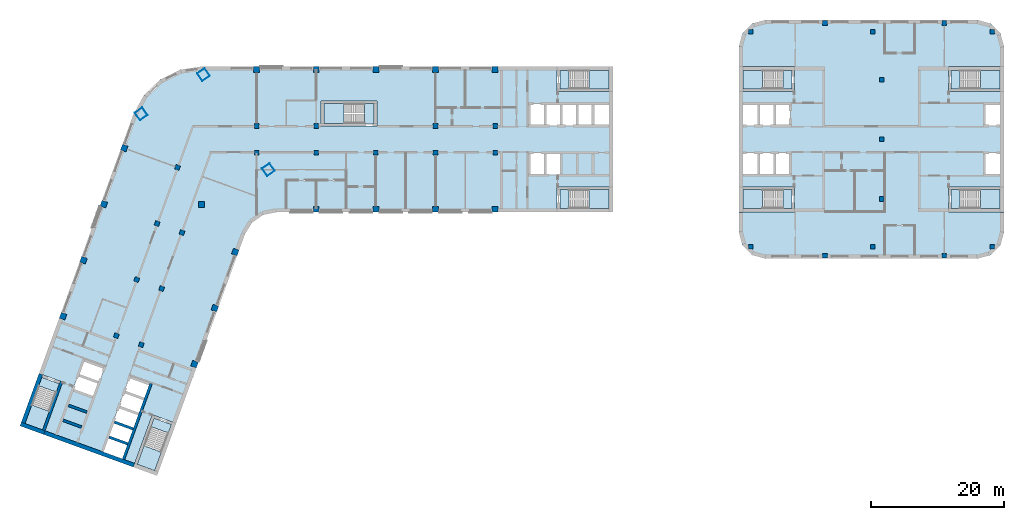
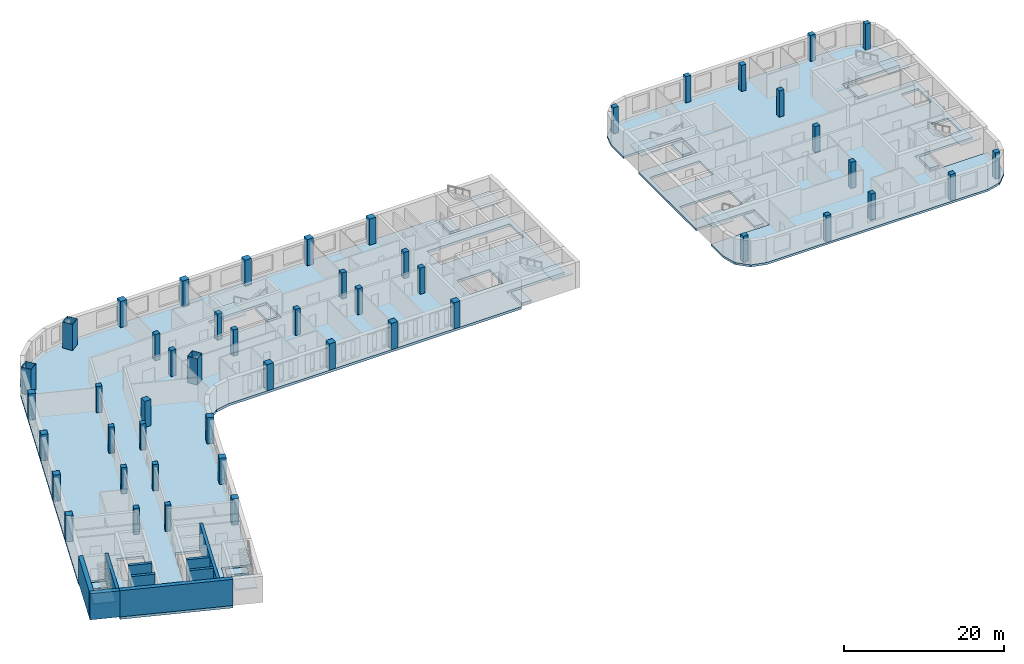
# One storey, part 1 of 12: 49 columns, 20 slabs, 9 walls, 9 elements without a shape of their own.
"""IFC4 building model written with IfcOpenShell, lengths in metres."""

from ifc_helpers import new_model, si_unit, direction, frame, frame_2d, origin, origin_2d, place, context, subcontext, project, spatial, polyline, rectangle, hollow_rectangle, outline, extrude, material, layer, layer_set, material_profile, profile_set, type_object, element, aggregate, save


model = new_model("IFC4")

# Units and contexts
model_context = context("Model", 3, precision=1e-05, world=origin(), true_north=direction((0.0, 1.0)))
body_context = subcontext(model_context, "Body", "Model", "MODEL_VIEW")
ifc_project = project(units=[si_unit("LENGTHUNIT", "METRE"), si_unit("AREAUNIT", "SQUARE_METRE"), si_unit("VOLUMEUNIT", "CUBIC_METRE"), si_unit("PLANEANGLEUNIT", "RADIAN"), si_unit("MASSUNIT", "GRAM", prefix="KILO")], contexts=[model_context])

# Site, building, storey
site_placement = place(None, origin())
site = spatial("IfcSite", under=ifc_project, at=site_placement, CompositionType="ELEMENT")
building_placement = place(site_placement, origin())
building = spatial("IfcBuilding", under=site, at=building_placement, Name="Skarvind Civic Tower", CompositionType="ELEMENT")
storey_placement = place(building_placement, frame((0.0, 0.0, 71.5)))
storey = spatial("IfcBuildingStorey", under=building, at=storey_placement, Name="L16", CompositionType="ELEMENT", Elevation=71.5)

# Columns
ifc_material_1 = material(Name="Concrete C60", Category="concrete")
ifc_material_profile_1 = material_profile(ifc_material_1, rectangle(XDim=0.699951171875, YDim=0.699951171875, at=origin_2d()), Name="RC-700x700")
ifc_profile_set_1 = profile_set([ifc_material_profile_1], Name="Concrete C60")
column_type_1 = type_object("IfcColumnType", Name="Column RC-700x700 C60", PredefinedType="COLUMN", material=ifc_profile_set_1)
for number, where, z_axis, x_axis, name in (
    (1, (54.25, 130.0, 0.0), (0.0, 0.0, 1.0), (1.0, 0.0, 0.0), "Column wing 1 north inner 02 L16"),
    (2, (63.25, 130.0, 0.0), (0.0, 0.0, 1.0), (1.0, 0.0, 0.0), "Column wing 1 north inner 03 L16"),
    (3, (81.25, 130.0, 0.0), (0.0, 0.0, 1.0), (1.0, 0.0, 0.0), "Column wing 1 north inner 05 L16"),
    (4, (90.25, 130.0, 0.0), (0.0, 0.0, 1.0), (1.0, 0.0, 0.0), "Column wing 1 north inner 06 L16"),
    (5, (54.25, 126.0, 0.0), (0.0, 0.0, 1.0), (1.0, 0.0, 0.0), "Column wing 1 south inner 02 L16"),
    (6, (63.25, 126.0, 0.0), (0.0, 0.0, 1.0), (1.0, 0.0, 0.0), "Column wing 1 south inner 03 L16"),
    (7, (72.25, 126.0, 0.0), (0.0, 0.0, 1.0), (1.0, 0.0, 0.0), "Column wing 1 south inner 04 L16"),
    (8, (81.25, 126.0, 0.0), (0.0, 0.0, 1.0), (1.0, 0.0, 0.0), "Column wing 1 south inner 05 L16"),
    (9, (90.25, 126.0, 0.0), (0.0, 0.0, 1.0), (1.0, 0.0, 0.0), "Column wing 1 south inner 06 L16"),
    (10, (43.005615234375, 113.92529296875, 0.0), (0.0, 0.0, 1.0), (-0.342020143326, -0.939692620786, 0.0), "Column wing 2 left inner 02 L16"),
    (11, (39.927490234375, 105.468017578125, 0.0), (0.0, 0.0, 1.0), (-0.342020143326, -0.939692620786, 0.0), "Column wing 2 left inner 03 L16"),
    (12, (36.84912109375, 97.010986328125, 0.0), (0.0, 0.0, 1.0), (-0.342020143326, -0.939692620786, 0.0), "Column wing 2 left inner 04 L16"),
    (13, (42.324951171875, 123.750732421875, 0.0), (0.0, 0.0, 1.0), (-0.342020143326, -0.939692620786, 0.0), "Column wing 2 right inner 01 L16"),
    (14, (39.246826171875, 115.29345703125, 0.0), (0.0, 0.0, 1.0), (-0.342020143326, -0.939692620786, 0.0), "Column wing 2 right inner 02 L16"),
    (15, (36.168701171875, 106.836181640625, 0.0), (0.0, 0.0, 1.0), (-0.342020143326, -0.939692620786, 0.0), "Column wing 2 right inner 03 L16"),
    (16, (33.090576171875, 98.37890625, 0.0), (0.0, 0.0, 1.0), (-0.342020143326, -0.939692620786, 0.0), "Column wing 2 right inner 04 L16"),
    (17, (128.777099609375, 144.222900390625, 0.0), (0.0, 0.0, 1.0), (1.0, 0.0, 0.0), "Column second tower north-west corner L16"),
    (18, (128.777099609375, 111.777099609375, 0.0), (0.0, 0.0, 1.0), (1.0, 0.0, 0.0), "Column second tower south-west corner L16"),
    (19, (148.550048828125, 119.0, 0.0), (0.0, 0.0, 1.0), (1.0, 0.0, 0.0), "Column second tower middle line 01 L16"),
    (20, (148.550048828125, 128.0, 0.0), (0.0, 0.0, 1.0), (1.0, 0.0, 0.0), "Column second tower middle line 02 L16"),
    (21, (148.550048828125, 137.0, 0.0), (0.0, 0.0, 1.0), (1.0, 0.0, 0.0), "Column second tower middle line 03 L16"),
    (22, (140.0, 145.550048828125, 0.0), (0.0, 0.0, 1.0), (1.0, 0.0, 0.0), "Column second tower north perimeter 02 L16"),
    (23, (147.222900390625, 144.222900390625, 0.0), (0.0, 0.0, 1.0), (1.0, 0.0, 0.0), "Column second tower north perimeter 03 L16"),
    (24, (140.0, 110.449951171875, 0.0), (0.0, 0.0, 1.0), (1.0, 0.0, 0.0), "Column second tower south perimeter 02 L16"),
    (25, (147.222900390625, 111.777099609375, 0.0), (0.0, 0.0, 1.0), (1.0, 0.0, 0.0), "Column second tower south perimeter 03 L16"),
    (26, (165.222900390625, 144.222900390625, 0.0), (0.0, 0.0, 1.0), (1.0, 0.0, 0.0), "Column second tower north-east corner L16"),
    (27, (165.222900390625, 111.777099609375, 0.0), (0.0, 0.0, 1.0), (1.0, 0.0, 0.0), "Column second tower south-east corner L16"),
    (28, (158.0, 145.550048828125, 0.0), (0.0, 0.0, 1.0), (1.0, 0.0, 0.0), "Column second tower north perimeter 04 L16"),
    (29, (158.0, 110.449951171875, 0.0), (0.0, 0.0, 1.0), (1.0, 0.0, 0.0), "Column second tower south perimeter 04 L16"),
):
    element("IfcColumn", number, at=place(storey_placement, frame(where, z_axis=z_axis, x_axis=x_axis)), inside=storey, type_object=column_type_1, Name=name, PredefinedType="COLUMN", context=body_context, shape_type="SweptSolid", body=[
        extrude(rectangle(XDim=0.699951171875, YDim=0.699951171875, at=origin_2d()), origin(), (0.0, 0.0, 1.0), 4.0),
    ])
ifc_material_2 = material(Name="Concrete C80", Category="concrete")
ifc_material_profile_2 = material_profile(ifc_material_2, rectangle(XDim=0.89990234375, YDim=0.89990234375, at=origin_2d()), Name="RC-900x900")
ifc_profile_set_2 = profile_set([ifc_material_profile_2], Name="Concrete C80")
column_type_2 = type_object("IfcColumnType", Name="Column RC-900x900 C80", PredefinedType="COLUMN", material=ifc_profile_set_2)
for number, where, z_axis, x_axis, name in (
    (30, (54.25, 138.550048828125, 0.0), (0.0, 0.0, 1.0), (1.0, 0.0, 0.0), "Column wing 1 north perimeter 02 L16"),
    (31, (63.25, 138.550048828125, 0.0), (0.0, 0.0, 1.0), (1.0, 0.0, 0.0), "Column wing 1 north perimeter 03 L16"),
    (32, (72.25, 138.550048828125, 0.0), (0.0, 0.0, 1.0), (1.0, 0.0, 0.0), "Column wing 1 north perimeter 04 L16"),
    (33, (81.25, 138.550048828125, 0.0), (0.0, 0.0, 1.0), (1.0, 0.0, 0.0), "Column wing 1 north perimeter 05 L16"),
    (34, (90.25, 138.550048828125, 0.0), (0.0, 0.0, 1.0), (1.0, 0.0, 0.0), "Column wing 1 north perimeter 06 L16"),
    (35, (45.95166015625, 118.151611328125, 0.0), (0.0, 0.0, 1.0), (1.0, 0.0, 0.0), "Column wing 1 south perimeter 01 L16"),
    (36, (63.25, 117.449951171875, 0.0), (0.0, 0.0, 1.0), (1.0, 0.0, 0.0), "Column wing 1 south perimeter 03 L16"),
    (37, (72.25, 117.449951171875, 0.0), (0.0, 0.0, 1.0), (1.0, 0.0, 0.0), "Column wing 1 south perimeter 04 L16"),
    (38, (81.25, 117.449951171875, 0.0), (0.0, 0.0, 1.0), (1.0, 0.0, 0.0), "Column wing 1 south perimeter 05 L16"),
    (39, (90.25, 117.449951171875, 0.0), (0.0, 0.0, 1.0), (1.0, 0.0, 0.0), "Column wing 1 south perimeter 06 L16"),
    (40, (51.0400390625, 111.0009765625, 0.0), (0.0, 0.0, 1.0), (-0.342020143326, -0.939692620786, 0.0), "Column wing 2 left perimeter 02 L16"),
    (41, (47.961669921875, 102.5439453125, 0.0), (0.0, 0.0, 1.0), (-0.342020143326, -0.939692620786, 0.0), "Column wing 2 left perimeter 03 L16"),
    (42, (44.883544921875, 94.086669921875, 0.0), (0.0, 0.0, 1.0), (-0.342020143326, -0.939692620786, 0.0), "Column wing 2 left perimeter 04 L16"),
    (43, (34.29052734375, 126.6748046875, 0.0), (0.0, 0.0, 1.0), (-0.342020143326, -0.939692620786, 0.0), "Column wing 2 right perimeter 01 L16"),
    (44, (31.21240234375, 118.2177734375, 0.0), (0.0, 0.0, 1.0), (-0.342020143326, -0.939692620786, 0.0), "Column wing 2 right perimeter 02 L16"),
    (45, (28.13427734375, 109.760498046875, 0.0), (0.0, 0.0, 1.0), (-0.342020143326, -0.939692620786, 0.0), "Column wing 2 right perimeter 03 L16"),
    (46, (25.05615234375, 101.30322265625, 0.0), (0.0, 0.0, 1.0), (-0.342020143326, -0.939692620786, 0.0), "Column wing 2 right perimeter 04 L16"),
):
    element("IfcColumn", number, at=place(storey_placement, frame(where, z_axis=z_axis, x_axis=x_axis)), inside=storey, type_object=column_type_2, Name=name, PredefinedType="COLUMN", context=body_context, shape_type="SweptSolid", body=[
        extrude(rectangle(XDim=0.89990234375, YDim=0.89990234375, at=origin_2d()), origin(), (0.0, 0.0, 1.0), 4.0),
    ])
ifc_material_3 = material(Name="Composite concrete-filled steel tube, Steel SM355 with Concrete C80", Category="concrete")
ifc_material_profile_3 = material_profile(ifc_material_3, hollow_rectangle(XDim=1.39990234375, YDim=1.39990234375, WallThickness=0.0400390625, at=origin_2d()), Name="BOX-1400x1400x40")
ifc_profile_set_3 = profile_set([ifc_material_profile_3], Name="Composite concrete-filled steel tube, Steel SM355 with Concrete C80")
column_type_3 = type_object("IfcColumnType", Name="Mega column BOX-1400x1400x40 filled C80", PredefinedType="COLUMN", material=ifc_profile_set_3)
for number, where, z_axis, x_axis, name in (
    (47, (36.845947265625, 131.837646484375, 0.0), (0.0, 0.0, 1.0), (0.573576436351, -0.819152044289, 0.0), "Mega column 1 L16"),
    (48, (46.2470703125, 137.762451171875, 0.0), (0.0, 0.0, 1.0), (0.573576436351, -0.819152044289, 0.0), "Mega column 2 L16"),
    (49, (56.0361328125, 123.43017578125, 0.0), (0.0, 0.0, 1.0), (0.573576436351, -0.819152044289, 0.0), "Mega column 4 L16"),
):
    element("IfcColumn", number, at=place(storey_placement, frame(where, z_axis=z_axis, x_axis=x_axis)), inside=storey, type_object=column_type_3, Name=name, PredefinedType="COLUMN", context=body_context, shape_type="SweptSolid", body=[
        extrude(hollow_rectangle(XDim=1.39990234375, YDim=1.39990234375, WallThickness=0.0400390625, at=origin_2d()), origin(), (0.0, 0.0, 1.0), 4.0),
    ])

# Slabs
ifc_material_4 = material(Name="Concrete C50", Category="concrete")
ifc_layer_1 = layer(ifc_material_4, 0.375)
ifc_layer_set_1 = layer_set([ifc_layer_1], Name="Floor slab 375 C50")
slab_type_1 = type_object("IfcSlabType", Name="Floor slab 375 C50", PredefinedType="FLOOR", material=ifc_layer_set_1)
slab_1_placement = place(storey_placement, frame((0.0, 0.0, -0.375)))
element("IfcSlab", 50, at=slab_1_placement, inside=storey, type_object=slab_type_1, Name="Floor slab L16 1", PredefinedType="FLOOR", context=body_context, shape_type="SweptSolid", body=[
    extrude(outline(polyline([(99.60009765625, 117.0), (99.60009765625, 120.800048828125), (108.0, 120.800048828125), (108.0, 135.199951171875), (99.60009765625, 135.199951171875), (99.60009765625, 139.0), (46.095458984375, 139.0), (42.739501953125, 138.5009765625), (39.6943359375, 137.005615234375), (37.24755859375, 134.6552734375), (35.630615234375, 131.672607421875), (19.41748046875, 87.126708984375), (21.435302734375, 92.6708984375), (25.006103515625, 91.371337890625), (22.13330078125, 83.477783203125), (36.886474609375, 78.108154296875), (35.664794921875, 78.552734375), (38.53759765625, 86.4462890625), (42.108642578125, 85.146484375), (40.0908203125, 79.602294921875), (40.0908203125, 79.602294921875), (52.493896484375, 113.68017578125), (53.560791015625, 115.421630859375), (55.23388671875, 116.593017578125), (57.235107421875, 117.0), (99.60009765625, 117.0)]), holes=[polyline([(32.625244140625, 85.40576171875), (33.446044921875, 87.660888671875), (34.26708984375, 89.916259765625), (35.087890625, 92.17138671875), (38.28271484375, 91.008544921875), (37.4619140625, 88.75341796875), (36.64111328125, 86.498046875), (35.8203125, 84.242919921875), (35.8203125, 84.242919921875), (34.99951171875, 81.987548828125), (34.178466796875, 79.732421875), (30.983642578125, 80.89501953125), (31.804443359375, 83.150390625), (32.625244140625, 85.40576171875), (32.625244140625, 85.40576171875)]), polyline([(31.3291015625, 93.53955078125), (30.50830078125, 91.2841796875), (29.6875, 89.029052734375), (26.492431640625, 90.19189453125), (27.313232421875, 92.447021484375), (28.134033203125, 94.702392578125), (31.3291015625, 93.53955078125)]), polyline([(64.0, 130.0), (64.0, 133.800048828125), (72.39990234375, 133.800048828125), (72.39990234375, 130.0), (64.0, 130.0)]), polyline([(100.199951171875, 126.0), (100.199951171875, 122.60009765625), (97.800048828125, 122.60009765625), (95.39990234375, 122.60009765625), (95.39990234375, 126.0), (97.800048828125, 126.0), (100.199951171875, 126.0)]), polyline([(100.199951171875, 133.39990234375), (102.60009765625, 133.39990234375), (105.0, 133.39990234375), (107.39990234375, 133.39990234375), (107.39990234375, 130.0), (105.0, 130.0), (102.60009765625, 130.0), (100.199951171875, 130.0), (97.800048828125, 130.0), (95.39990234375, 130.0), (95.39990234375, 133.39990234375), (97.800048828125, 133.39990234375), (100.199951171875, 133.39990234375)])]), origin(), (0.0, 0.0, 1.0), 0.375),
])
ifc_layer_2 = layer(ifc_material_4, 0.324951171875)
ifc_layer_set_2 = layer_set([ifc_layer_2], Name="Second tower floor slab 325 C50")
slab_type_2 = type_object("IfcSlabType", Name="Second tower floor slab 325 C50", PredefinedType="FLOOR", material=ifc_layer_set_2)
slab_2_placement = place(storey_placement, frame((0.0, 0.0, -0.324951171875)))
element("IfcSlab", 51, at=slab_2_placement, inside=storey, type_object=slab_type_2, Name="Floor slab L16 1", PredefinedType="FLOOR", context=body_context, shape_type="SweptSolid", body=[
    extrude(outline(polyline([(127.0, 139.0), (135.39990234375, 139.0), (135.39990234375, 135.199951171875), (127.0, 135.199951171875), (127.0, 120.800048828125), (135.39990234375, 120.800048828125), (135.39990234375, 117.0), (127.0, 117.0), (127.0, 114.0), (127.535888671875, 112.0), (129.0, 110.535888671875), (131.0, 110.0), (163.0, 110.0), (165.0, 110.535888671875), (166.464111328125, 112.0), (167.0, 114.0), (167.0, 117.0), (158.60009765625, 117.0), (158.60009765625, 120.800048828125), (167.0, 120.800048828125), (167.0, 135.199951171875), (158.60009765625, 135.199951171875), (158.60009765625, 139.0), (167.0, 139.0), (167.0, 142.0), (166.464111328125, 144.0), (165.0, 145.464111328125), (163.0, 146.0), (131.0, 146.0), (129.0, 145.464111328125), (127.535888671875, 144.0), (127.0, 142.0), (127.0, 139.0)]), holes=[polyline([(132.39990234375, 126.0), (134.800048828125, 126.0), (134.800048828125, 122.60009765625), (132.39990234375, 122.60009765625), (130.0, 122.60009765625), (127.60009765625, 122.60009765625), (127.60009765625, 126.0), (130.0, 126.0), (132.39990234375, 126.0)]), polyline([(130.0, 133.39990234375), (132.39990234375, 133.39990234375), (134.800048828125, 133.39990234375), (134.800048828125, 130.0), (132.39990234375, 130.0), (130.0, 130.0), (127.60009765625, 130.0), (127.60009765625, 133.39990234375), (130.0, 133.39990234375)]), polyline([(166.39990234375, 126.0), (166.39990234375, 122.60009765625), (164.0, 122.60009765625), (164.0, 126.0), (166.39990234375, 126.0)]), polyline([(166.39990234375, 133.39990234375), (166.39990234375, 130.0), (164.0, 130.0), (164.0, 133.39990234375), (166.39990234375, 133.39990234375)])]), origin(), (0.0, 0.0, 1.0), 0.324951171875),
])
ifc_material_5 = material(Name="Concrete C40/50", Category="concrete")
ifc_layer_3 = layer(ifc_material_5, 0.375)
ifc_layer_set_3 = layer_set([ifc_layer_3], Name="Stair floor landing slab 375")
slab_type_3 = type_object("IfcSlabType", Name="Stair floor landing slab 375", PredefinedType="LANDING", material=ifc_layer_set_3)
slab_3_placement = place(storey_placement, frame((0.0, 0.0, -0.375)))
element("IfcSlab", 52, at=slab_3_placement, inside=storey, type_object=slab_type_3, Name="Stair floor landing", PredefinedType="LANDING", context=body_context, shape_type="SweptSolid", body=[
    extrude(outline(polyline([(101.3505859375, 138.400634765625), (101.3505859375, 135.599365234375), (99.99951171875, 135.599365234375), (99.99951171875, 138.400634765625), (101.3505859375, 138.400634765625)])), origin(), (0.0, 0.0, 1.0), 0.375),
])
slab_4_placement = place(storey_placement, frame((0.0, 0.0, -0.375)))
element("IfcSlab", 53, at=slab_4_placement, inside=storey, type_object=slab_type_3, Name="Stair floor landing", PredefinedType="LANDING", context=body_context, shape_type="SweptSolid", body=[
    extrude(outline(polyline([(101.3505859375, 120.400634765625), (101.3505859375, 117.599365234375), (99.99951171875, 117.599365234375), (99.99951171875, 120.400634765625), (101.3505859375, 120.400634765625)])), origin(), (0.0, 0.0, 1.0), 0.375),
])
slab_5_placement = place(storey_placement, frame((0.0, 0.0, -0.375)))
element("IfcSlab", 54, at=slab_5_placement, inside=storey, type_object=slab_type_3, Name="Stair floor landing", PredefinedType="LANDING", context=body_context, shape_type="SweptSolid", body=[
    extrude(outline(polyline([(40.946533203125, 83.70654296875), (38.314208984375, 84.66455078125), (38.7763671875, 85.934326171875), (41.40869140625, 84.976318359375), (40.946533203125, 83.70654296875)])), origin(), (0.0, 0.0, 1.0), 0.375),
])
slab_6_placement = place(storey_placement, frame((0.0, 0.0, -0.375)))
element("IfcSlab", 55, at=slab_6_placement, inside=storey, type_object=slab_type_3, Name="Stair floor landing", PredefinedType="LANDING", context=body_context, shape_type="SweptSolid", body=[
    extrude(outline(polyline([(24.0322265625, 89.863037109375), (21.39990234375, 90.821044921875), (21.862060546875, 92.090576171875), (24.494384765625, 91.132568359375), (24.0322265625, 89.863037109375)])), origin(), (0.0, 0.0, 1.0), 0.375),
])
slab_7_placement = place(storey_placement, frame((0.0, 0.0, -0.375)))
element("IfcSlab", 56, at=slab_7_placement, inside=storey, type_object=slab_type_3, Name="Stair floor landing", PredefinedType="LANDING", context=body_context, shape_type="SweptSolid", body=[
    extrude(outline(polyline([(133.6494140625, 117.599365234375), (133.6494140625, 120.400634765625), (135.00048828125, 120.400634765625), (135.00048828125, 117.599365234375), (133.6494140625, 117.599365234375)])), origin(), (0.0, 0.0, 1.0), 0.375),
])
slab_8_placement = place(storey_placement, frame((0.0, 0.0, -0.375)))
element("IfcSlab", 57, at=slab_8_placement, inside=storey, type_object=slab_type_3, Name="Stair floor landing", PredefinedType="LANDING", context=body_context, shape_type="SweptSolid", body=[
    extrude(outline(polyline([(133.6494140625, 135.599365234375), (133.6494140625, 138.400634765625), (135.00048828125, 138.400634765625), (135.00048828125, 135.599365234375), (133.6494140625, 135.599365234375)])), origin(), (0.0, 0.0, 1.0), 0.375),
])
slab_9_placement = place(storey_placement, frame((0.0, 0.0, -0.375)))
element("IfcSlab", 58, at=slab_9_placement, inside=storey, type_object=slab_type_3, Name="Stair floor landing", PredefinedType="LANDING", context=body_context, shape_type="SweptSolid", body=[
    extrude(outline(polyline([(160.3505859375, 138.400634765625), (160.3505859375, 135.599365234375), (158.99951171875, 135.599365234375), (158.99951171875, 138.400634765625), (160.3505859375, 138.400634765625)])), origin(), (0.0, 0.0, 1.0), 0.375),
])
slab_10_placement = place(storey_placement, frame((0.0, 0.0, -0.375)))
element("IfcSlab", 59, at=slab_10_placement, inside=storey, type_object=slab_type_3, Name="Stair floor landing", PredefinedType="LANDING", context=body_context, shape_type="SweptSolid", body=[
    extrude(outline(polyline([(160.3505859375, 120.400634765625), (160.3505859375, 117.599365234375), (158.99951171875, 117.599365234375), (158.99951171875, 120.400634765625), (160.3505859375, 120.400634765625)])), origin(), (0.0, 0.0, 1.0), 0.375),
])
slab_11_placement = place(storey_placement, frame((0.0, 0.0, -0.375)))
element("IfcSlab", 60, at=slab_11_placement, inside=storey, type_object=slab_type_3, Name="Stair floor landing", PredefinedType="LANDING", context=body_context, shape_type="SweptSolid", body=[
    extrude(outline(polyline([(70.54931640625, 130.3994140625), (70.54931640625, 133.400634765625), (72.00048828125, 133.400634765625), (72.00048828125, 130.3994140625), (70.54931640625, 130.3994140625)])), origin(), (0.0, 0.0, 1.0), 0.375),
])

# Stair, slab
stair_type_1 = type_object("IfcStairType", Name="Exit stair, half-turn, concrete", PredefinedType="HALF_TURN_STAIR", material=ifc_material_5)
stair_1_placement = place(storey_placement, origin())
stair_1 = element("IfcStair", 61, at=stair_1_placement, inside=storey, type_object=stair_type_1, Name="Exit stair C1S", PredefinedType="HALF_TURN_STAIR")
ifc_layer_4 = layer(ifc_material_5, 0.199951171875)
ifc_layer_set_4 = layer_set([ifc_layer_4], Name="Stair half landing slab")
slab_type_4 = type_object("IfcSlabType", Name="Stair half landing slab", PredefinedType="LANDING", material=ifc_layer_set_4)
slab_12_placement = place(storey_placement, frame((0.0, 0.0, 1.800048828125)))
slab_12 = element("IfcSlab", 62, at=slab_12_placement, type_object=slab_type_4, Name="ST-C1S landing 1", PredefinedType="LANDING", context=body_context, shape_type="SweptSolid", body=[
    extrude(outline(polyline([(104.429443359375, 135.599365234375), (104.429443359375, 138.400634765625), (107.400634765625, 138.400634765625), (107.400634765625, 135.599365234375), (104.429443359375, 135.599365234375)])), origin(), (0.0, 0.0, 1.0), 0.199951171875),
])
aggregate(stair_1, [slab_12])

stair_2_placement = place(storey_placement, origin())
stair_2 = element("IfcStair", 63, at=stair_2_placement, inside=storey, type_object=stair_type_1, Name="Exit stair C1N", PredefinedType="HALF_TURN_STAIR")
slab_13_placement = place(storey_placement, frame((0.0, 0.0, 1.800048828125)))
slab_13 = element("IfcSlab", 64, at=slab_13_placement, type_object=slab_type_4, Name="ST-C1N landing 1", PredefinedType="LANDING", context=body_context, shape_type="SweptSolid", body=[
    extrude(outline(polyline([(104.429443359375, 117.599365234375), (104.429443359375, 120.400634765625), (107.400634765625, 120.400634765625), (107.400634765625, 117.599365234375), (104.429443359375, 117.599365234375)])), origin(), (0.0, 0.0, 1.0), 0.199951171875),
])
aggregate(stair_2, [slab_13])

stair_3_placement = place(storey_placement, origin())
stair_3 = element("IfcStair", 65, at=stair_3_placement, inside=storey, type_object=stair_type_1, Name="Exit stair C2S", PredefinedType="HALF_TURN_STAIR")
slab_14_placement = place(storey_placement, frame((0.0, 0.0, 1.800048828125)))
slab_14 = element("IfcSlab", 66, at=slab_14_placement, type_object=slab_type_4, Name="ST-C2S landing 1", PredefinedType="LANDING", context=body_context, shape_type="SweptSolid", body=[
    extrude(outline(polyline([(37.26123046875, 81.771484375), (39.8935546875, 80.8134765625), (38.87744140625, 78.021484375), (36.2451171875, 78.9794921875), (37.26123046875, 81.771484375)])), origin(), (0.0, 0.0, 1.0), 0.199951171875),
])
aggregate(stair_3, [slab_14])

stair_4_placement = place(storey_placement, origin())
stair_4 = element("IfcStair", 67, at=stair_4_placement, inside=storey, type_object=stair_type_1, Name="Exit stair C2N", PredefinedType="HALF_TURN_STAIR")
slab_15_placement = place(storey_placement, frame((0.0, 0.0, 1.800048828125)))
slab_15 = element("IfcSlab", 68, at=slab_15_placement, type_object=slab_type_4, Name="ST-C2N landing 1", PredefinedType="LANDING", context=body_context, shape_type="SweptSolid", body=[
    extrude(outline(polyline([(20.346923828125, 87.927734375), (22.97900390625, 86.9697265625), (21.962890625, 84.177734375), (19.33056640625, 85.1357421875), (20.346923828125, 87.927734375)])), origin(), (0.0, 0.0, 1.0), 0.199951171875),
])
aggregate(stair_4, [slab_15])

stair_5_placement = place(storey_placement, origin())
stair_5 = element("IfcStair", 69, at=stair_5_placement, inside=storey, type_object=stair_type_1, Name="Exit stair CAS", PredefinedType="HALF_TURN_STAIR")
slab_16_placement = place(storey_placement, frame((0.0, 0.0, 1.800048828125)))
slab_16 = element("IfcSlab", 70, at=slab_16_placement, type_object=slab_type_4, Name="ST-CAS landing 1", PredefinedType="LANDING", context=body_context, shape_type="SweptSolid", body=[
    extrude(outline(polyline([(130.570556640625, 120.400634765625), (130.570556640625, 117.599365234375), (127.599365234375, 117.599365234375), (127.599365234375, 120.400634765625), (130.570556640625, 120.400634765625)])), origin(), (0.0, 0.0, 1.0), 0.199951171875),
])
aggregate(stair_5, [slab_16])

stair_6_placement = place(storey_placement, origin())
stair_6 = element("IfcStair", 71, at=stair_6_placement, inside=storey, type_object=stair_type_1, Name="Exit stair CAN", PredefinedType="HALF_TURN_STAIR")
slab_17_placement = place(storey_placement, frame((0.0, 0.0, 1.800048828125)))
slab_17 = element("IfcSlab", 72, at=slab_17_placement, type_object=slab_type_4, Name="ST-CAN landing 1", PredefinedType="LANDING", context=body_context, shape_type="SweptSolid", body=[
    extrude(outline(polyline([(130.570556640625, 138.400634765625), (130.570556640625, 135.599365234375), (127.599365234375, 135.599365234375), (127.599365234375, 138.400634765625), (130.570556640625, 138.400634765625)])), origin(), (0.0, 0.0, 1.0), 0.199951171875),
])
aggregate(stair_6, [slab_17])

stair_7_placement = place(storey_placement, origin())
stair_7 = element("IfcStair", 73, at=stair_7_placement, inside=storey, type_object=stair_type_1, Name="Exit stair CBS", PredefinedType="HALF_TURN_STAIR")
slab_18_placement = place(storey_placement, frame((0.0, 0.0, 1.800048828125)))
slab_18 = element("IfcSlab", 74, at=slab_18_placement, type_object=slab_type_4, Name="ST-CBS landing 1", PredefinedType="LANDING", context=body_context, shape_type="SweptSolid", body=[
    extrude(outline(polyline([(163.429443359375, 135.599365234375), (163.429443359375, 138.400634765625), (166.400634765625, 138.400634765625), (166.400634765625, 135.599365234375), (163.429443359375, 135.599365234375)])), origin(), (0.0, 0.0, 1.0), 0.199951171875),
])
aggregate(stair_7, [slab_18])

stair_8_placement = place(storey_placement, origin())
stair_8 = element("IfcStair", 75, at=stair_8_placement, inside=storey, type_object=stair_type_1, Name="Exit stair CBN", PredefinedType="HALF_TURN_STAIR")
slab_19_placement = place(storey_placement, frame((0.0, 0.0, 1.800048828125)))
slab_19 = element("IfcSlab", 76, at=slab_19_placement, type_object=slab_type_4, Name="ST-CBN landing 1", PredefinedType="LANDING", context=body_context, shape_type="SweptSolid", body=[
    extrude(outline(polyline([(163.429443359375, 117.599365234375), (163.429443359375, 120.400634765625), (166.400634765625, 120.400634765625), (166.400634765625, 117.599365234375), (163.429443359375, 117.599365234375)])), origin(), (0.0, 0.0, 1.0), 0.199951171875),
])
aggregate(stair_8, [slab_19])

stair_type_2 = type_object("IfcStairType", Name="Exit stair 1450, half-turn, concrete", PredefinedType="HALF_TURN_STAIR", material=ifc_material_5)
stair_9_placement = place(storey_placement, origin())
stair_9 = element("IfcStair", 77, at=stair_9_placement, inside=storey, type_object=stair_type_2, Name="Exit stair CM", PredefinedType="HALF_TURN_STAIR")
slab_20_placement = place(storey_placement, frame((0.0, 0.0, 1.800048828125)))
slab_20 = element("IfcSlab", 78, at=slab_20_placement, type_object=slab_type_4, Name="ST-CM landing 1", PredefinedType="LANDING", context=body_context, shape_type="SweptSolid", body=[
    extrude(outline(polyline([(67.470703125, 133.400634765625), (67.470703125, 130.3994140625), (64.3994140625, 130.3994140625), (64.3994140625, 133.400634765625), (67.470703125, 133.400634765625)])), origin(), (0.0, 0.0, 1.0), 0.199951171875),
])
aggregate(stair_9, [slab_20])

# Walls
ifc_layer_5 = layer(ifc_material_2, 0.39990234375)
ifc_layer_set_5 = layer_set([ifc_layer_5], Name="Core wall 400 C80")
wall_type_1 = type_object("IfcWallType", Name="Core wall 400 C80", PredefinedType="SHEAR", material=ifc_layer_set_5)
wall_1_placement = place(storey_placement, frame((22.150390625, 84.110107421875, 0.0), z_axis=(0.0, 0.0, 1.0), x_axis=(0.342016982193, 0.939693771338, 0.0)))
element("IfcWall", 79, at=wall_1_placement, inside=storey, type_object=wall_type_1, Name="Core wall C2 north stair inner L16", PredefinedType="SHEAR", context=body_context, shape_type="SweptSolid", body=[
    extrude(rectangle(XDim=7.800048828125, YDim=0.39990234375, at=frame_2d((3.89990234375, 0.0))), origin(), (0.0, 0.0, 1.0), 4.0),
])
wall_2_placement = place(storey_placement, frame((34.178466796875, 79.732177734375, 0.0), z_axis=(0.0, 0.0, 1.0), x_axis=(0.342014590177, 0.939694641948, 0.0)))
element("IfcWall", 80, at=wall_2_placement, inside=storey, type_object=wall_type_1, Name="Core wall C2 south lift row back L16", PredefinedType="SHEAR", context=body_context, shape_type="SweptSolid", body=[
    extrude(rectangle(XDim=12.2001953125, YDim=0.39990234375, at=frame_2d((6.10009765625, 0.0))), origin(), (0.0, 0.0, 1.0), 4.0),
])
for number, where, z_axis, x_axis, name in (
    (81, (34.8115234375, 82.055908203125, 0.0), (0.0, 0.0, 1.0), (-0.939686455819, 0.342037080957, 0.0), "Core wall C2 south lift row division 1 L16"),
    (82, (35.63232421875, 84.311279296875, 0.0), (0.0, 0.0, 1.0), (-0.939712609717, 0.341965219194, 0.0), "Core wall C2 south lift row division 2 L16"),
    (83, (27.857666015625, 84.5869140625, 0.0), (0.0, 0.0, 1.0), (-0.939686455819, 0.342037080957, 0.0), "Core wall C2 north lift row division 1 L16"),
):
    element("IfcWall", number, at=place(storey_placement, frame(where, z_axis=z_axis, x_axis=x_axis)), inside=storey, type_object=wall_type_1, Name=name, PredefinedType="SHEAR", context=body_context, shape_type="SweptSolid", body=[
        extrude(rectangle(XDim=3.0, YDim=0.39990234375, at=frame_2d((1.5, 0.0))), origin(), (0.0, 0.0, 1.0), 4.0),
    ])
wall_3_placement = place(storey_placement, frame((28.678466796875, 86.842041015625, 0.0), z_axis=(0.0, 0.0, 1.0), x_axis=(-0.939676934218, 0.342063238742, 0.0)))
element("IfcWall", 84, at=wall_3_placement, inside=storey, type_object=wall_type_1, Name="Core wall C2 north lift row division 2 L16", PredefinedType="SHEAR", context=body_context, shape_type="SweptSolid", body=[
    extrude(rectangle(XDim=2.999755859375, YDim=0.39990234375, at=frame_2d((1.5, 0.0))), origin(), (0.0, 0.0, 1.0), 4.0),
])
ifc_layer_6 = layer(ifc_material_2, 0.60009765625)
ifc_layer_set_6 = layer_set([ifc_layer_6], Name="Core wall 600 C80")
wall_type_2 = type_object("IfcWallType", Name="Core wall 600 C80", PredefinedType="SHEAR", material=ifc_layer_set_6)
wall_4_placement = place(storey_placement, frame((35.767333984375, 78.834716796875, 0.0), z_axis=(0.0, 0.0, 1.0), x_axis=(-0.939692894512, 0.342019391267, 0.0)))
element("IfcWall", 85, at=wall_4_placement, inside=storey, type_object=wall_type_2, Name="Core wall C2 tip between the stairs L16", PredefinedType="SHEAR", context=body_context, shape_type="SweptSolid", body=[
    extrude(rectangle(XDim=14.39990234375, YDim=0.60009765625, at=frame_2d((7.199951171875, 0.0))), origin(), (0.0, 0.0, 1.0), 4.0),
])
wall_5_placement = place(storey_placement, frame((22.23583984375, 83.759765625, 0.0), z_axis=(0.0, 0.0, 1.0), x_axis=(-0.939680822529, 0.342052557032, 0.0)))
element("IfcWall", 86, at=wall_5_placement, inside=storey, type_object=wall_type_2, Name="Core wall C2 tip at the north stair L16", PredefinedType="SHEAR", context=body_context, shape_type="SweptSolid", body=[
    extrude(rectangle(XDim=3.800048828125, YDim=0.60009765625, at=frame_2d((1.89990234375, 0.0))), origin(), (0.0, 0.0, 1.0), 4.0),
])
wall_6_placement = place(storey_placement, frame((19.049560546875, 85.23876953125, 0.0), z_axis=(0.0, 0.0, 1.0), x_axis=(0.342016982193, 0.939693771338, 0.0)))
element("IfcWall", 87, at=wall_6_placement, inside=storey, type_object=wall_type_2, Name="Core wall C2 north side at the stair L16", PredefinedType="SHEAR", context=body_context, shape_type="SweptSolid", body=[
    extrude(rectangle(XDim=7.800048828125, YDim=0.60009765625, at=frame_2d((3.89990234375, 0.0))), origin(), (0.0, 0.0, 1.0), 4.0),
])

save(model, "model.ifc")
